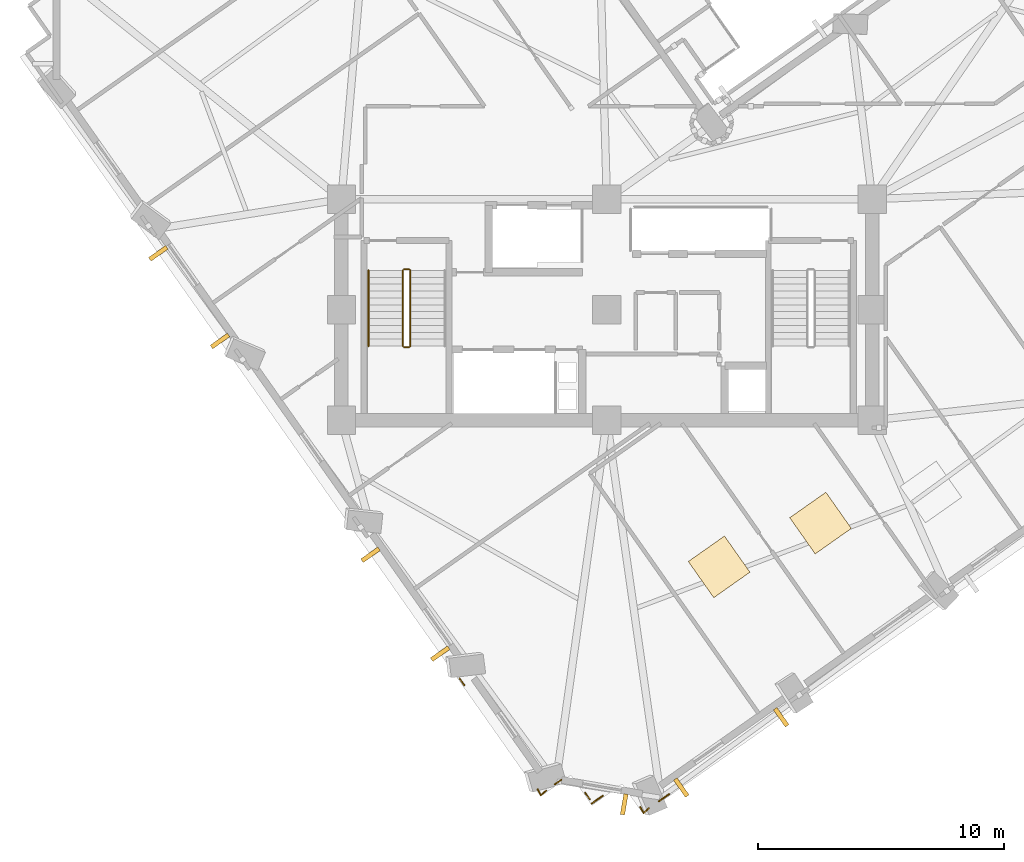
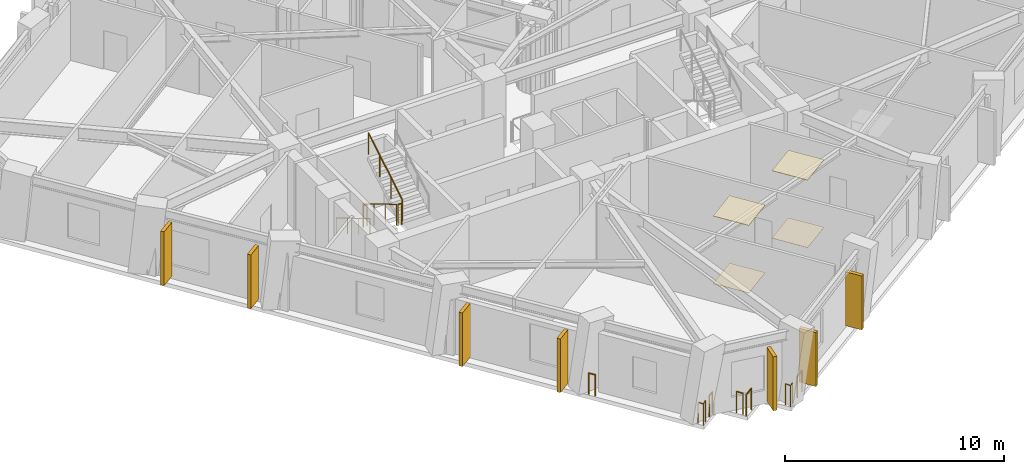
# One storey, part 9 of 13: 12 railings, 7 shading devices, 4 coverings.
"""IFC4 building model written with IfcOpenShell, lengths in metres."""

from ifc_helpers import new_model, si_unit, direction, frame, origin, origin_2d, place, context, subcontext, project, spatial, rectangle, circle, extrude, material, layer, layer_set, type_object, element, save


model = new_model("IFC4")

# Units and contexts
model_context = context("Model", 3, precision=1e-05, world=origin(), true_north=direction((0.0, 1.0)))
body_context = subcontext(model_context, "Body", "Model", "MODEL_VIEW")
ifc_project = project(units=[si_unit("LENGTHUNIT", "METRE"), si_unit("AREAUNIT", "SQUARE_METRE"), si_unit("VOLUMEUNIT", "CUBIC_METRE"), si_unit("PLANEANGLEUNIT", "RADIAN"), si_unit("MASSUNIT", "GRAM", prefix="KILO")], contexts=[model_context])

# Site, building, storey
site_placement = place(None, origin())
site = spatial("IfcSite", under=ifc_project, at=site_placement, CompositionType="ELEMENT")
building_placement = place(site_placement, origin())
building = spatial("IfcBuilding", under=site, at=building_placement, Name="Gaonmaruhae Medical Tower", CompositionType="ELEMENT")
storey_placement = place(building_placement, frame((0.0, 0.0, 173.800048828125)))
storey = spatial("IfcBuildingStorey", under=building, at=storey_placement, Name="L41", CompositionType="ELEMENT", Elevation=173.800048828125)

# Coverings
ifc_material_1 = material(Name="Acoustic mineral ceiling tile", Category="finish")
ifc_layer_1 = layer(ifc_material_1, 0.02490234375)
ifc_layer_set_1 = layer_set([ifc_layer_1], Name="Acoustic mineral ceiling tile")
covering_type_1 = type_object("IfcCoveringType", Name="CLG-01 Antimicrobial Acoustic Mineral Ceiling", PredefinedType="CEILING", material=ifc_layer_set_1)
for number, where, z_axis, x_axis, name in (
    (1, (29.368896484375, 1.836669921875, 3.7548828125), (0.0, 0.0, 1.0), (0.817647619217, 0.575719003324, 0.0), "L41 Clinical Room Acoustic Ceiling 2"),
    (2, (33.495849609375, 3.617919921875, 3.7548828125), (0.0, 0.0, 1.0), (0.817647619217, 0.575719003324, 0.0), "L41 Clinical Room Acoustic Ceiling 3"),
):
    element("IfcCovering", number, at=place(storey_placement, frame(where, z_axis=z_axis, x_axis=x_axis)), inside=storey, type_object=covering_type_1, Name=name, PredefinedType="CEILING", context=body_context, shape_type="SweptSolid", body=[
        extrude(rectangle(XDim=1.800048828125, YDim=1.800048828125, at=origin_2d()), origin(), (0.0, 0.0, 1.0), 0.02490234375),
    ])
ifc_material_2 = material(Name="Seamless clinical vinyl flooring", Category="finish")
ifc_layer_2 = layer(ifc_material_2, 0.014892578125)
ifc_layer_set_2 = layer_set([ifc_layer_2], Name="Seamless clinical vinyl flooring")
covering_type_2 = type_object("IfcCoveringType", Name="FLR-01 Seamless Clinical Antistatic Vinyl Flooring", PredefinedType="FLOORING", material=ifc_layer_set_2)
for number, where, z_axis, x_axis, name in (
    (3, (29.368896484375, 1.836669921875, 0.0), (0.0, 0.0, 1.0), (0.817647619217, 0.575719003324, 0.0), "L41 Clinical Room Vinyl Flooring 2"),
    (4, (33.495849609375, 3.617919921875, 0.0), (0.0, 0.0, 1.0), (0.817647619217, 0.575719003324, 0.0), "L41 Clinical Room Vinyl Flooring 3"),
):
    element("IfcCovering", number, at=place(storey_placement, frame(where, z_axis=z_axis, x_axis=x_axis)), inside=storey, type_object=covering_type_2, Name=name, PredefinedType="FLOORING", context=body_context, shape_type="SweptSolid", body=[
        extrude(rectangle(XDim=1.800048828125, YDim=1.800048828125, at=origin_2d()), origin(), (0.0, 0.0, 1.0), 0.014892578125),
    ])

# Railings
ifc_material_3 = material(Name="Stainless steel 316L and laminated safety glass", Category="steel")
ifc_layer_3 = layer(ifc_material_3, 0.080078125)
ifc_layer_set_3 = layer_set([ifc_layer_3], Name="Stainless steel 316L and laminated safety glass")
railing_type_1 = type_object("IfcRailingType", Name="GD-120 Outdoor Terrace Safety Glass & Steel Balustrade", PredefinedType="BALUSTRADE", material=ifc_layer_set_3)
railing_1_placement = place(storey_placement, frame((27.3369140625, -7.4091796875, 0.0)))
element("IfcRailing", 5, at=railing_1_placement, inside=storey, type_object=railing_type_1, Name="L41 Perimeter Slab Edge Safety Balustrade 04", PredefinedType="BALUSTRADE", context=body_context, shape_type="SweptSolid", body=[
    extrude(circle(Radius=0.02392578125, at=origin_2d()), frame((0.0, 0.0, 1.17578125), z_axis=(-0.817658695308, -0.575703272517, 0.0), x_axis=(0.575703272517, -0.817658695308, 0.0)), (0.0, 0.0, 1.0), 0.5185546875),
    extrude(circle(Radius=0.02099609375, at=origin_2d()), origin(), (0.0, 0.0, 1.0), 1.15185546875),
    extrude(circle(Radius=0.02099609375, at=origin_2d()), frame((-0.424072265625, -0.298583984375, 0.0)), (0.0, 0.0, 1.0), 1.15185546875),
])
railing_2_placement = place(storey_placement, frame((24.629150390625, -7.481201171875, 0.0)))
element("IfcRailing", 6, at=railing_2_placement, inside=storey, type_object=railing_type_1, Name="L41 Perimeter Slab Edge Safety Balustrade 05", PredefinedType="BALUSTRADE", context=body_context, shape_type="SweptSolid", body=[
    extrude(circle(Radius=0.02392578125, at=origin_2d()), frame((0.0, 0.0, 1.17578125), z_axis=(-0.817487098547, -0.575946910496, 0.0), x_axis=(0.575946910496, -0.817487098547, 0.0)), (0.0, 0.0, 1.0), 0.56005859375),
    extrude(circle(Radius=0.02099609375, at=origin_2d()), origin(), (0.0, 0.0, 1.0), 1.15185546875),
    extrude(circle(Radius=0.02099609375, at=origin_2d()), frame((-0.457763671875, -0.322509765625, 0.0)), (0.0, 0.0, 1.0), 1.15185546875),
])
railing_3_placement = place(storey_placement, frame((24.106689453125, -7.625, 0.0)))
element("IfcRailing", 7, at=railing_3_placement, inside=storey, type_object=railing_type_1, Name="L41 Perimeter Slab Edge Safety Balustrade 06", PredefinedType="BALUSTRADE", context=body_context, shape_type="SweptSolid", body=[
    extrude(circle(Radius=0.02392578125, at=origin_2d()), frame((0.0, 0.0, 1.17578125), z_axis=(-0.576067007793, 0.817402472796, 0.0), x_axis=(-0.817402472796, -0.576067007793, 0.0)), (0.0, 0.0, 1.0), 0.32666015625),
    extrude(circle(Radius=0.02099609375, at=origin_2d()), origin(), (0.0, 0.0, 1.0), 1.15185546875),
    extrude(circle(Radius=0.02099609375, at=origin_2d()), frame((-0.188232421875, 0.26708984375, 0.0)), (0.0, 0.0, 1.0), 1.15185546875),
])
railing_4_placement = place(storey_placement, frame((22.947998046875, -6.83056640625, 0.0)))
element("IfcRailing", 8, at=railing_4_placement, inside=storey, type_object=railing_type_1, Name="L41 Perimeter Slab Edge Safety Balustrade 07", PredefinedType="BALUSTRADE", context=body_context, shape_type="SweptSolid", body=[
    extrude(circle(Radius=0.02392578125, at=origin_2d()), frame((0.0, 0.0, 1.17578125), z_axis=(-0.817754297363, -0.575567467065, 0.0), x_axis=(0.575567467065, -0.817754297363, 0.0)), (0.0, 0.0, 1.0), 0.32666015625),
    extrude(circle(Radius=0.02099609375, at=origin_2d()), origin(), (0.0, 0.0, 1.0), 1.15185546875),
    extrude(circle(Radius=0.02099609375, at=origin_2d()), frame((-0.26708984375, -0.18798828125, 0.0)), (0.0, 0.0, 1.0), 1.15185546875),
])
railing_5_placement = place(storey_placement, frame((19.004638671875, -2.984619140625, 0.0)))
element("IfcRailing", 9, at=railing_5_placement, inside=storey, type_object=railing_type_1, Name="L41 Perimeter Slab Edge Safety Balustrade 08", PredefinedType="BALUSTRADE", context=body_context, shape_type="SweptSolid", body=[
    extrude(circle(Radius=0.02392578125, at=origin_2d()), frame((0.0, 0.0, 1.17578125), z_axis=(-0.575920771083, 0.817505514009, 0.0), x_axis=(-0.817505514009, -0.575920771083, 0.0)), (0.0, 0.0, 1.0), 0.339599609375),
    extrude(circle(Radius=0.02099609375, at=origin_2d()), origin(), (0.0, 0.0, 1.0), 1.15185546875),
    extrude(circle(Radius=0.02099609375, at=origin_2d()), frame((-0.195556640625, 0.277587890625, 0.0)), (0.0, 0.0, 1.0), 1.15185546875),
])
railing_6_placement = place(storey_placement, frame((26.506591796875, -7.993896484375, 0.0)))
element("IfcRailing", 10, at=railing_6_placement, inside=storey, type_object=railing_type_1, Name="L41 Perimeter Corner Safety Balustrade 13", PredefinedType="BALUSTRADE", context=body_context, shape_type="SweptSolid", body=[
    extrude(circle(Radius=0.02392578125, at=origin_2d()), frame((0.0, 0.0, 1.17578125), z_axis=(-0.741515633057, -0.670935590002, 0.0), x_axis=(0.670935590002, -0.741515633057, 0.0)), (0.0, 0.0, 1.0), 0.287109375),
    extrude(circle(Radius=0.02392578125, at=origin_2d()), frame((-0.212890625, -0.192626953125, 1.17578125), z_axis=(-0.471867470693, 0.881669490286, 0.0), x_axis=(-0.881669490286, -0.471867470693, 0.0)), (0.0, 0.0, 1.0), 0.287109375),
    extrude(circle(Radius=0.02099609375, at=origin_2d()), origin(), (0.0, 0.0, 1.0), 1.15185546875),
    extrude(circle(Radius=0.02099609375, at=origin_2d()), frame((-0.212890625, -0.192626953125, 0.0)), (0.0, 0.0, 1.0), 1.15185546875),
    extrude(circle(Radius=0.02099609375, at=origin_2d()), frame((-0.348388671875, 0.060546875, 0.0)), (0.0, 0.0, 1.0), 1.15185546875),
])
railing_7_placement = place(storey_placement, frame((22.326416015625, -7.26806640625, 0.0)))
element("IfcRailing", 11, at=railing_7_placement, inside=storey, type_object=railing_type_1, Name="L41 Perimeter Corner Safety Balustrade 14", PredefinedType="BALUSTRADE", context=body_context, shape_type="SweptSolid", body=[
    extrude(circle(Radius=0.02392578125, at=origin_2d()), frame((0.0, 0.0, 1.17578125), z_axis=(-0.741515633057, -0.670935590002, 0.0), x_axis=(0.670935590002, -0.741515633057, 0.0)), (0.0, 0.0, 1.0), 0.287109375),
    extrude(circle(Radius=0.02392578125, at=origin_2d()), frame((-0.212890625, -0.192626953125, 1.17578125), z_axis=(-0.472221412515, 0.881479970029, 0.0), x_axis=(-0.881479970029, -0.472221412515, 0.0)), (0.0, 0.0, 1.0), 0.286865234375),
    extrude(circle(Radius=0.02099609375, at=origin_2d()), origin(), (0.0, 0.0, 1.0), 1.15185546875),
    extrude(circle(Radius=0.02099609375, at=origin_2d()), frame((-0.212890625, -0.192626953125, 0.0)), (0.0, 0.0, 1.0), 1.15185546875),
    extrude(circle(Radius=0.02099609375, at=origin_2d()), frame((-0.348388671875, 0.060302734375, 0.0)), (0.0, 0.0, 1.0), 1.15185546875),
])
ifc_material_4 = material(Name="Stainless steel 304 handrail", Category="steel")
railing_type_2 = type_object("IfcRailingType", Name="HR-092 Continuous Stainless Steel Stair Handrail", PredefinedType="HANDRAIL", material=ifc_material_4)
railing_8_placement = place(storey_placement, frame((15.10009765625, 13.89990234375, 0.16650390625)))
element("IfcRailing", 12, at=railing_8_placement, inside=storey, type_object=railing_type_2, Name="L41 ST-01 stair handrail 1", PredefinedType="HANDRAIL", context=body_context, shape_type="SweptSolid", body=[
    extrude(circle(Radius=0.02392578125, at=origin_2d()), frame((0.0, 0.0, 0.8759765625), z_axis=(0.0, -0.859260807169, 0.511537745687), x_axis=(1.0, 0.0, 0.0)), (0.0, 0.0, 1.0), 3.584228515625),
    extrude(circle(Radius=0.02099609375, at=origin_2d()), origin(), (0.0, 0.0, 1.0), 0.851806640625),
    extrude(circle(Radius=0.02099609375, at=origin_2d()), frame((0.0, -1.026611328125, 0.611083984375)), (0.0, 0.0, 1.0), 0.851806640625),
    extrude(circle(Radius=0.02099609375, at=origin_2d()), frame((0.0, -2.05322265625, 1.222412109375)), (0.0, 0.0, 1.0), 0.851806640625),
    extrude(circle(Radius=0.02099609375, at=origin_2d()), frame((0.0, -3.079833984375, 1.83349609375)), (0.0, 0.0, 1.0), 0.851806640625),
])

# Shading devices
ifc_material_5 = material(Name="Pigmented coral precast concrete C45/55", Category="concrete")
shading_device_type = type_object("IfcShadingDeviceType", Name="SD-FIN1 Tower Vertical Coral Precast Shading Fin", PredefinedType="USERDEFINED", material=ifc_material_5)
for number, where, z_axis, x_axis, name in (
    (13, (31.891357421875, -4.281982421875, 0.132568359375), (0.0, 0.0, 1.0), (-0.817647619217, -0.575719003324, 0.0), "L41 Vertical Coral Precast Shading Fin S01"),
    (14, (27.82763671875, -7.143310546875, 0.132568359375), (0.0, 0.0, 1.0), (-0.817647619217, -0.575719003324, 0.0), "L41 Vertical Coral Precast Shading Fin S01B"),
    (15, (9.05859375, 11.028076171875, 0.132568359375), (0.0, 0.0, 1.0), (-0.575719003324, 0.817647619217, 0.0), "L41 Vertical Coral Precast Shading Fin W02"),
    (16, (6.547119140625, 14.5947265625, 0.132568359375), (0.0, 0.0, 1.0), (-0.575719003324, 0.817647619217, 0.0), "L41 Vertical Coral Precast Shading Fin W02B"),
):
    element("IfcShadingDevice", number, at=place(storey_placement, frame(where, z_axis=z_axis, x_axis=x_axis)), inside=storey, type_object=shading_device_type, Name=name, ObjectType="FIN", PredefinedType="USERDEFINED", context=body_context, shape_type="SweptSolid", body=[
        extrude(rectangle(XDim=0.179931640625, YDim=0.85009765625, at=origin_2d()), origin(), (0.0, 0.0, 1.0), 3.0),
    ])
for number, where, z_axis, x_axis, name in (
    (17, (18.01806640625, -1.6962890625, 0.0400390625), (0.0, 0.0, 1.0), (-0.575719003324, 0.817647619217, 0.0), "L41 Vertical Coral Precast Shading Fin W04"),
    (18, (15.18359375, 2.329345703125, 0.0400390625), (0.0, 0.0, 1.0), (-0.575719003324, 0.817647619217, 0.0), "L41 Vertical Coral Precast Shading Fin W04B"),
):
    element("IfcShadingDevice", number, at=place(storey_placement, frame(where, z_axis=z_axis, x_axis=x_axis)), inside=storey, type_object=shading_device_type, Name=name, ObjectType="FIN", PredefinedType="USERDEFINED", context=body_context, shape_type="SweptSolid", body=[
        extrude(rectangle(XDim=0.179931640625, YDim=0.85009765625, at=origin_2d()), origin(), (0.0, 0.0, 1.0), 2.985107421875),
    ])
shading_device_placement = place(storey_placement, frame((25.50634765625, -7.827880859375, 0.132568359375), z_axis=(0.0, 0.0, 1.0), x_axis=(-0.985261973052, 0.171052168822, 0.0)))
element("IfcShadingDevice", 19, at=shading_device_placement, inside=storey, type_object=shading_device_type, Name="L41 Vertical Coral Precast Shading Fin W06", ObjectType="FIN", PredefinedType="USERDEFINED", context=body_context, shape_type="SweptSolid", body=[
    extrude(rectangle(XDim=0.179931640625, YDim=0.85009765625, at=origin_2d()), origin(), (0.0, 0.0, 1.0), 3.0),
])

# Railings
ifc_material_6 = material(Name="Stainless steel 304 balustrade", Category="steel")
railing_type_3 = type_object("IfcRailingType", Name="SG-112 Stair Well & Ramp Void Safety Balustrade", PredefinedType="BALUSTRADE", material=ifc_material_6)
railing_9_placement = place(storey_placement, frame((16.5, 13.89990234375, 0.16650390625)))
element("IfcRailing", 20, at=railing_9_placement, inside=storey, type_object=railing_type_3, Name="L41 ST-01 stair guard 1", PredefinedType="BALUSTRADE", context=body_context, shape_type="SweptSolid", body=[
    extrude(circle(Radius=0.02392578125, at=origin_2d()), frame((0.0, 0.0, 1.17578125), z_axis=(0.0, -0.859260807169, 0.511537745687), x_axis=(1.0, 0.0, 0.0)), (0.0, 0.0, 1.0), 3.584228515625),
    extrude(circle(Radius=0.02099609375, at=origin_2d()), origin(), (0.0, 0.0, 1.0), 1.15185546875),
    extrude(circle(Radius=0.02099609375, at=origin_2d()), frame((0.0, -1.026611328125, 0.611083984375)), (0.0, 0.0, 1.0), 1.15185546875),
    extrude(circle(Radius=0.02099609375, at=origin_2d()), frame((0.0, -2.05322265625, 1.222412109375)), (0.0, 0.0, 1.0), 1.15185546875),
    extrude(circle(Radius=0.02099609375, at=origin_2d()), frame((0.0, -3.079833984375, 1.83349609375)), (0.0, 0.0, 1.0), 1.15185546875),
])
railing_10_placement = place(storey_placement, frame((16.550048828125, 10.77001953125, 2.0)))
element("IfcRailing", 21, at=railing_10_placement, inside=storey, type_object=railing_type_3, Name="L41 ST-01 stair guard 2", PredefinedType="BALUSTRADE", context=body_context, shape_type="SweptSolid", body=[
    extrude(circle(Radius=0.02392578125, at=origin_2d()), frame((0.0, 0.0, 1.17578125), z_axis=(1.0, 0.0, 0.0), x_axis=(0.0, 1.0, 0.0)), (0.0, 0.0, 1.0), 0.199951171875),
    extrude(circle(Radius=0.02099609375, at=origin_2d()), origin(), (0.0, 0.0, 1.0), 1.15185546875),
    extrude(circle(Radius=0.02099609375, at=origin_2d()), frame((0.199951171875, 0.0, 0.0)), (0.0, 0.0, 1.0), 1.15185546875),
])
railing_11_placement = place(storey_placement, frame((16.800048828125, 10.820068359375, 2.16650390625)))
element("IfcRailing", 22, at=railing_11_placement, inside=storey, type_object=railing_type_3, Name="L41 ST-01 stair guard 3", PredefinedType="BALUSTRADE", context=body_context, shape_type="SweptSolid", body=[
    extrude(circle(Radius=0.02392578125, at=origin_2d()), frame((0.0, 0.0, 1.17578125), z_axis=(0.0, 0.859260807169, 0.511537745687), x_axis=(-1.0, 0.0, 0.0)), (0.0, 0.0, 1.0), 3.584228515625),
    extrude(circle(Radius=0.02099609375, at=origin_2d()), origin(), (0.0, 0.0, 1.0), 1.15185546875),
    extrude(circle(Radius=0.02099609375, at=origin_2d()), frame((0.0, 1.026611328125, 0.611083984375)), (0.0, 0.0, 1.0), 1.15185546875),
    extrude(circle(Radius=0.02099609375, at=origin_2d()), frame((0.0, 2.05322265625, 1.222412109375)), (0.0, 0.0, 1.0), 1.15185546875),
    extrude(circle(Radius=0.02099609375, at=origin_2d()), frame((0.0, 3.079833984375, 1.83349609375)), (0.0, 0.0, 1.0), 1.15185546875),
])
railing_12_placement = place(storey_placement, frame((16.550048828125, 13.949951171875, 0.0)))
element("IfcRailing", 23, at=railing_12_placement, inside=storey, type_object=railing_type_3, Name="L41 ST-01 stair guard 4", PredefinedType="BALUSTRADE", context=body_context, shape_type="SweptSolid", body=[
    extrude(circle(Radius=0.02392578125, at=origin_2d()), frame((0.0, 0.0, 1.17578125), z_axis=(1.0, 0.0, 0.0), x_axis=(0.0, 1.0, 0.0)), (0.0, 0.0, 1.0), 0.199951171875),
    extrude(circle(Radius=0.02099609375, at=origin_2d()), origin(), (0.0, 0.0, 1.0), 1.15185546875),
    extrude(circle(Radius=0.02099609375, at=origin_2d()), frame((0.199951171875, 0.0, 0.0)), (0.0, 0.0, 1.0), 1.15185546875),
])

save(model, "model.ifc")
